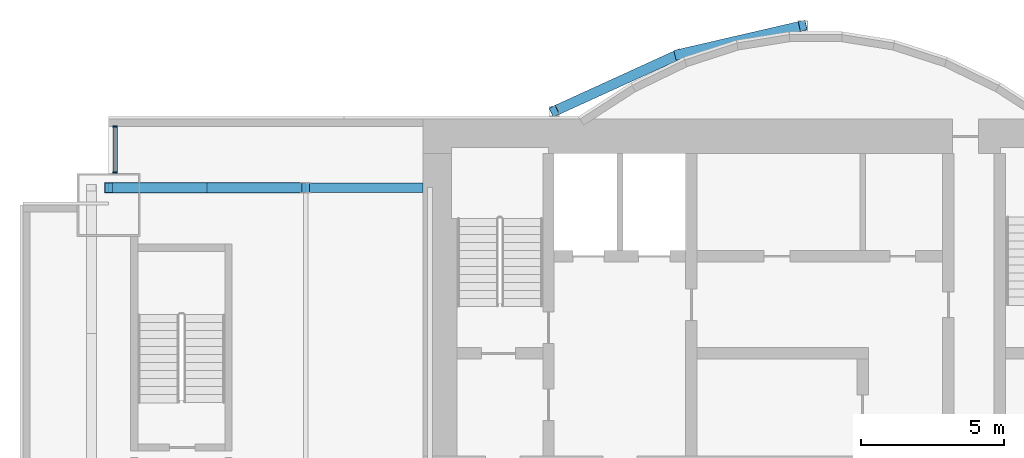
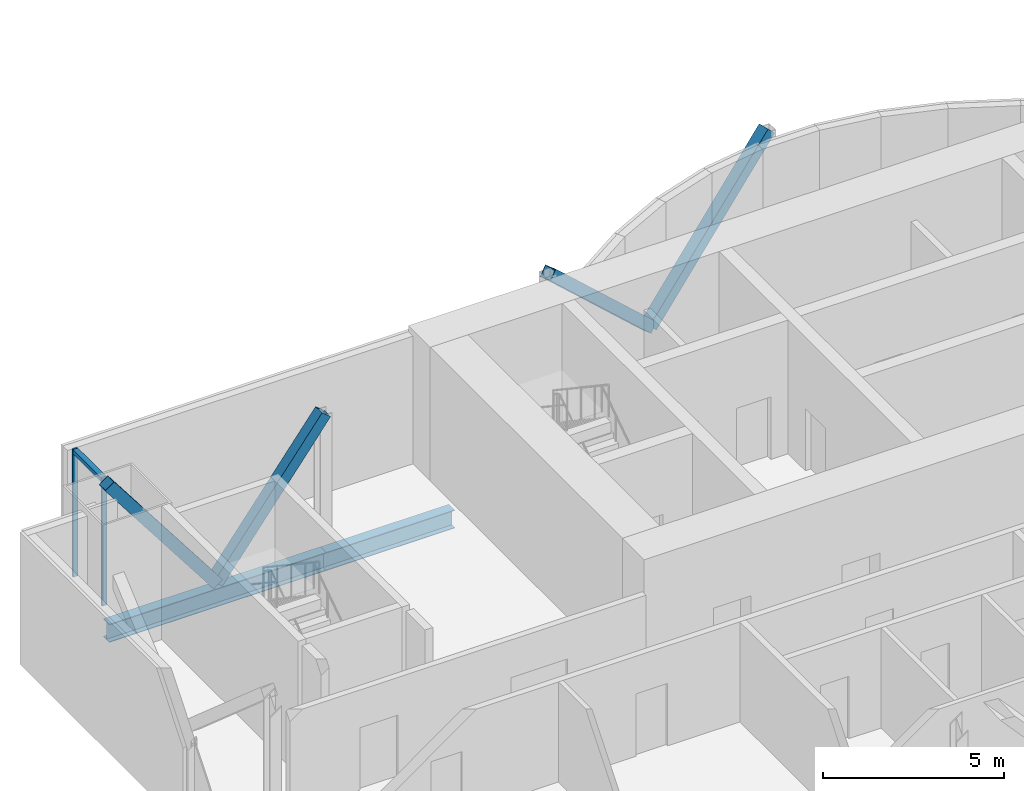
# One storey, part 5 of 16: 7 members, 2 beams, 1 element without a shape of its own.
"""IFC4 building model written with IfcOpenShell, lengths in metres."""

from ifc_helpers import new_model, si_unit, direction, frame, origin, origin_2d, place, context, subcontext, project, spatial, rectangle, hollow_rectangle, i_section, extrude, material, material_profile, profile_set, type_object, element, aggregate, save


model = new_model("IFC4")

# Units and contexts
model_context = context("Model", 3, precision=1e-05, world=origin(), true_north=direction((0.0, 1.0)))
body_context = subcontext(model_context, "Body", "Model", "MODEL_VIEW")
ifc_project = project(units=[si_unit("LENGTHUNIT", "METRE"), si_unit("AREAUNIT", "SQUARE_METRE"), si_unit("VOLUMEUNIT", "CUBIC_METRE"), si_unit("PLANEANGLEUNIT", "RADIAN"), si_unit("MASSUNIT", "GRAM", prefix="KILO")], contexts=[model_context])

# Site, building, storey
site_placement = place(None, origin())
site = spatial("IfcSite", under=ifc_project, at=site_placement, CompositionType="ELEMENT")
building_placement = place(site_placement, origin())
building = spatial("IfcBuilding", under=site, at=building_placement, Name="Bicima Exchange Tower", CompositionType="ELEMENT")
storey_placement = place(building_placement, frame((0.0, 0.0, 338.0)))
storey = spatial("IfcBuildingStorey", under=building, at=storey_placement, Name="L76", CompositionType="ELEMENT", Elevation=338.0)

# Curtain wall, members
ifc_material_1 = material(Name="Anodised bronze aluminium", Category="aluminium")
curtain_wall_type = type_object("IfcCurtainWallType", Name="Front glass wall", PredefinedType="NOTDEFINED", material=ifc_material_1)
curtain_wall_placement = place(storey_placement, origin())
curtain_wall = element("IfcCurtainWall", 1, at=curtain_wall_placement, inside=storey, type_object=curtain_wall_type, Name="Front glass wall L76 run 1", PredefinedType="NOTDEFINED")
ifc_material_profile_1 = material_profile(ifc_material_1, rectangle(XDim=0.159912109375, YDim=0.06005859375, at=origin_2d()))
ifc_profile_set_1 = profile_set([ifc_material_profile_1], Name="Anodised bronze aluminium")
member_type_1 = type_object("IfcMemberType", Name="Front glass wall mullion 60 x 160", PredefinedType="MULLION", material=ifc_profile_set_1)
member_1_placement = place(storey_placement, frame((-32.77001953125, -0.260009765625, 0.0), z_axis=(0.0, 0.0, 1.0), x_axis=(1.0, 0.0, 0.0)))
member_1 = element("IfcMember", 2, at=member_1_placement, type_object=member_type_1, Name="Front glass wall mullion 1", PredefinedType="MULLION", context=body_context, shape_type="SweptSolid", body=[
    extrude(rectangle(XDim=0.159912109375, YDim=0.06005859375, at=origin_2d()), origin(), (0.0, 0.0, 1.0), 4.300048828125),
])
member_2_placement = place(storey_placement, frame((-32.77001953125, -1.8701171875, 0.0), z_axis=(0.0, 0.0, 1.0), x_axis=(1.0, 0.0, 0.0)))
member_2 = element("IfcMember", 3, at=member_2_placement, type_object=member_type_1, Name="Front glass wall mullion 2", PredefinedType="MULLION", context=body_context, shape_type="SweptSolid", body=[
    extrude(rectangle(XDim=0.159912109375, YDim=0.06005859375, at=origin_2d()), origin(), (0.0, 0.0, 1.0), 4.300048828125),
])
ifc_material_profile_2 = material_profile(ifc_material_1, rectangle(XDim=0.159912109375, YDim=0.139892578125, at=origin_2d()))
ifc_profile_set_2 = profile_set([ifc_material_profile_2], Name="Anodised bronze aluminium")
member_type_2 = type_object("IfcMemberType", Name="Front glass wall transom 140 x 160", PredefinedType="USERDEFINED", material=ifc_profile_set_2)
member_3_placement = place(storey_placement, frame((-32.77001953125, -0.2900390625, 4.22998046875), z_axis=(0.0, -1.0, 0.0), x_axis=(1.0, 0.0, 0.0)))
member_3 = element("IfcMember", 4, at=member_3_placement, type_object=member_type_2, Name="Front glass wall transom 1.1", ObjectType="TRANSOM", PredefinedType="USERDEFINED", context=body_context, shape_type="SweptSolid", body=[
    extrude(rectangle(XDim=0.159912109375, YDim=0.139892578125, at=origin_2d()), origin(), (0.0, 0.0, 1.0), 1.550048828125),
])
aggregate(curtain_wall, [member_1, member_2, member_3])

# Members
ifc_material_2 = material(Name="Steel ASTM A572 Gr 50", Category="steel")
ifc_material_profile_3 = material_profile(ifc_material_2, hollow_rectangle(XDim=0.355712890625, YDim=0.355712890625, WallThickness=0.01171875, at=origin_2d()))
ifc_profile_set_3 = profile_set([ifc_material_profile_3], Name="Steel ASTM A572 Gr 50")
member_type_3 = type_object("IfcMemberType", Name="Mega brace HSS14x14x1/2", PredefinedType="BRACE", material=ifc_profile_set_3)
member_4_placement = place(storey_placement, frame((-13.050048828125, 2.262451171875, 0.0), z_axis=(0.686212303743, 0.158786245837, 0.709858860848), x_axis=(-0.225438503722, 0.974257399787, 0.0)))
element("IfcMember", 5, at=member_4_placement, inside=storey, type_object=member_type_3, Name="Mega brace rexo", PredefinedType="BRACE", context=body_context, shape_type="SweptSolid", body=[
    extrude(hollow_rectangle(XDim=0.355712890625, YDim=0.355712890625, WallThickness=0.01171875, at=origin_2d()), origin(), (0.0, 0.0, 1.0), 6.33935546875),
])
member_5_placement = place(storey_placement, frame((-13.050048828125, 2.262451171875, 0.0), z_axis=(-0.662507516739, -0.302231638101, 0.685375683254), x_axis=(0.415045223819, -0.909800781592, 0.0)))
element("IfcMember", 6, at=member_5_placement, inside=storey, type_object=member_type_3, Name="Mega brace rexo", PredefinedType="BRACE", context=body_context, shape_type="SweptSolid", body=[
    extrude(hollow_rectangle(XDim=0.355712890625, YDim=0.355712890625, WallThickness=0.01171875, at=origin_2d()), origin(), (0.0, 0.0, 1.0), 6.565673828125),
])
for number, where, z_axis, x_axis, name in (
    (7, (-29.550048828125, -2.39990234375, 0.0), (0.608426120198, 0.0, 0.793610519248), (0.0, 1.0, 0.0), "Mega brace rear"),
    (8, (-29.550048828125, -2.39990234375, 0.0), (-0.608426120198, 0.0, 0.793610519248), (0.0, -1.0, 0.0), "Mega brace rear"),
):
    element("IfcMember", number, at=place(storey_placement, frame(where, z_axis=z_axis, x_axis=x_axis)), inside=storey, type_object=member_type_3, Name=name, PredefinedType="BRACE", context=body_context, shape_type="SweptSolid", body=[
        extrude(hollow_rectangle(XDim=0.355712890625, YDim=0.355712890625, WallThickness=0.01171875, at=origin_2d()), origin(), (0.0, 0.0, 1.0), 5.670166015625),
    ])

# Beams
ifc_material_3 = material(Name="Steel ASTM A992 Gr 50", Category="steel")
ifc_material_profile_4 = material_profile(ifc_material_3, i_section(OverallWidth=0.3251953125, OverallDepth=0.612060546875, WebThickness=0.0126953125, FlangeThickness=0.01904296875, at=origin_2d()))
ifc_profile_set_4 = profile_set([ifc_material_profile_4], Name="Steel ASTM A992 Gr 50")
beam_type = type_object("IfcBeamType", Name="Rear girder W24x104", PredefinedType="BEAM", material=ifc_profile_set_4)
beam_1_placement = place(storey_placement, frame((-22.0, -2.39990234375, -0.4560546875), z_axis=(-1.0, 0.0, 0.0), x_axis=(0.0, -1.0, 0.0)))
element("IfcBeam", 9, at=beam_1_placement, inside=storey, type_object=beam_type, Name="Rear girder", PredefinedType="BEAM", context=body_context, shape_type="SweptSolid", body=[
    extrude(i_section(OverallWidth=0.3251953125, OverallDepth=0.612060546875, WebThickness=0.0126953125, FlangeThickness=0.01904296875, at=origin_2d()), origin(), (0.0, 0.0, 1.0), 4.10009765625),
])
beam_2_placement = place(storey_placement, frame((-26.10009765625, -2.39990234375, -0.4560546875), z_axis=(-1.0, 0.0, 0.0), x_axis=(0.0, -1.0, 0.0)))
element("IfcBeam", 10, at=beam_2_placement, inside=storey, type_object=beam_type, Name="Rear girder", PredefinedType="BEAM", context=body_context, shape_type="SweptSolid", body=[
    extrude(i_section(OverallWidth=0.3251953125, OverallDepth=0.612060546875, WebThickness=0.0126953125, FlangeThickness=0.01904296875, at=origin_2d()), origin(), (0.0, 0.0, 1.0), 6.89990234375),
])

save(model, "model.ifc")
